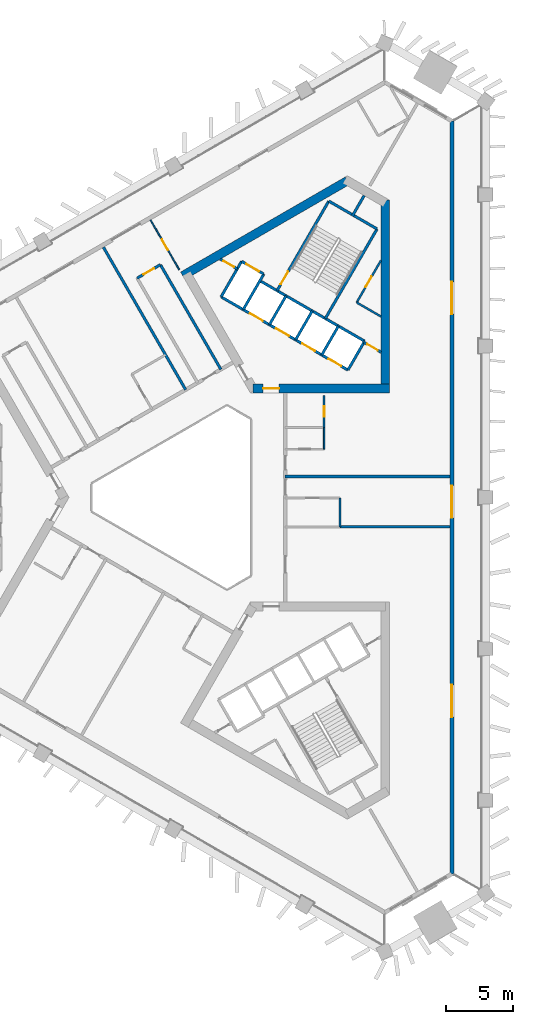
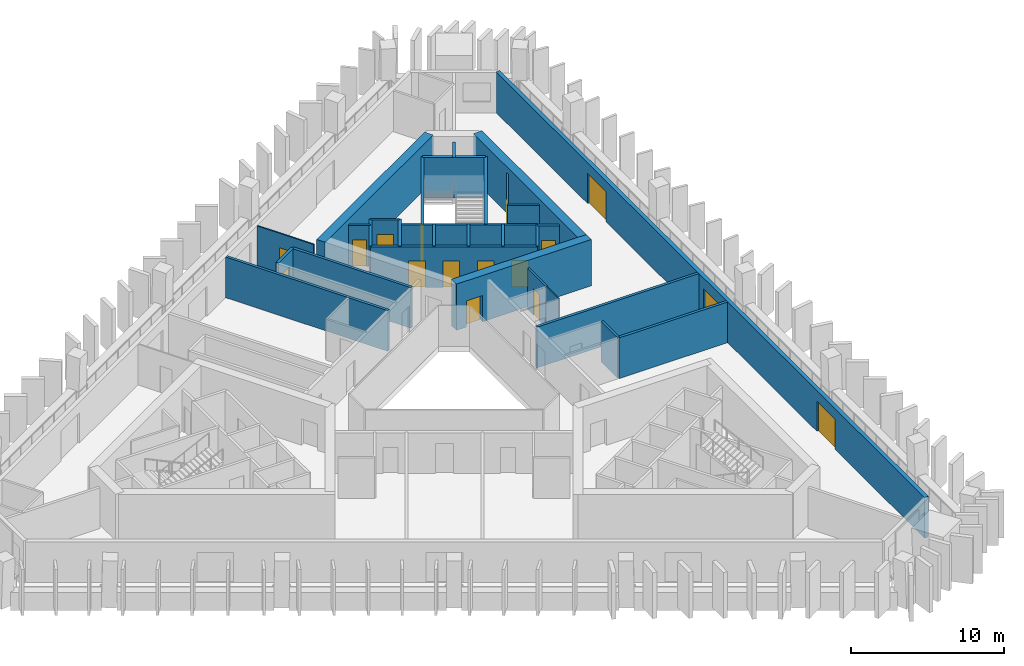
# One storey, part 5 of 9: 30 walls, 16 doors, 16 openings.
"""IFC4 building model written with IfcOpenShell, lengths in metres."""

from ifc_helpers import new_model, si_unit, direction, frame, frame_2d, origin, place, context, subcontext, project, spatial, rectangle, extrude, material, layer, layer_set, type_object, element, fill, save


model = new_model("IFC4")

# Units and contexts
model_context = context("Model", 3, precision=1e-05, world=origin(), true_north=direction((0.0, 1.0)))
body_context = subcontext(model_context, "Body", "Model", "MODEL_VIEW")
ifc_project = project(units=[si_unit("LENGTHUNIT", "METRE"), si_unit("AREAUNIT", "SQUARE_METRE"), si_unit("VOLUMEUNIT", "CUBIC_METRE"), si_unit("PLANEANGLEUNIT", "RADIAN"), si_unit("MASSUNIT", "GRAM", prefix="KILO")], contexts=[model_context])

# Site, building, storey
site_placement = place(None, origin())
site = spatial("IfcSite", under=ifc_project, at=site_placement, CompositionType="ELEMENT")
building_placement = place(site_placement, origin())
building = spatial("IfcBuilding", under=site, at=building_placement, Name="Jabali Bay Hotel Tower and Convention Centre", CompositionType="ELEMENT")
storey_placement = place(building_placement, frame((0.0, 0.0, 129.0)))
storey = spatial("IfcBuildingStorey", under=building, at=storey_placement, Name="L31", CompositionType="ELEMENT", Elevation=129.0)

# Wall
ifc_material_1 = material(Name="Concrete C40", Category="concrete")
ifc_layer_1 = layer(ifc_material_1, 0.199951171875)
ifc_layer_set_1 = layer_set([ifc_layer_1], Name="Concrete C40")
wall_type_1 = type_object("IfcWallType", Name="Core partition wall 200", PredefinedType="PARTITIONING", material=ifc_layer_set_1)
wall_1_placement = place(storey_placement, frame((87.090087890625, 100.9404296875, 0.0), z_axis=(0.0, 0.0, 1.0), x_axis=(0.499944938281, 0.866057191349, 0.0)))
element("IfcWall", 1, at=wall_1_placement, inside=storey, type_object=wall_type_1, Name="Core wall 1.5 L31", PredefinedType="PARTITIONING", context=body_context, shape_type="SweptSolid", body=[
    extrude(rectangle(XDim=1.773193359375, YDim=0.199951171875, at=frame_2d((0.88671875, 0.0))), origin(), (0.0, 0.0, 1.0), 3.25),
])

# Wall, opening, door
wall_2_placement = place(storey_placement, frame((89.22998046875, 90.813720703125, 0.0), z_axis=(0.0, 0.0, 1.0), x_axis=(-0.866022048785, 0.500005810984, 0.0)))
wall_2 = element("IfcWall", 2, at=wall_2_placement, inside=storey, type_object=wall_type_1, Name="Core wall 1.11 L31", PredefinedType="PARTITIONING", context=body_context, shape_type="SweptSolid", body=[
    extrude(rectangle(XDim=1.466796875, YDim=0.199951171875, at=frame_2d((0.7333984375, 0.0))), origin(), (0.0, 0.0, 1.0), 3.25),
])
opening_1_placement = place(wall_2_placement, frame((0.283447265625, 0.0, 0.0)))
opening_1 = element("IfcOpeningElement", 3, at=opening_1_placement, cuts=wall_2, Name="Opening D692", PredefinedType="OPENING", context=body_context, shape_type="SweptSolid", body=[
    extrude(rectangle(XDim=0.89990234375, YDim=2.10009765625, at=frame_2d((0.449951171875, 1.050048828125))), frame((0.0, 0.1103515625, 0.0), z_axis=(0.0, -1.0, 0.0), x_axis=(1.0, 0.0, 0.0)), (0.0, 0.0, 1.0), 0.220947265625),
])
ifc_material_2 = material(Name="Fire-rated steel door", Category="steel")
door_type_1 = type_object("IfcDoorType", Name="Vestibule fire door 900 x 2100", OperationType="NOTDEFINED", PredefinedType="NOTDEFINED", material=ifc_material_2)
door_1_placement = place(opening_1_placement, origin())
door_1 = element("IfcDoor", 4, at=door_1_placement, inside=storey, type_object=door_type_1, Name="Vestibule fire door D692", OperationType="SINGLE_SWING_LEFT", OverallHeight=2.10009765625, OverallWidth=0.89990234375, PredefinedType="NOTDEFINED", context=body_context, shape_type="SweptSolid", body=[
    extrude(rectangle(XDim=0.89990234375, YDim=2.10009765625, at=frame_2d((0.449951171875, 1.050048828125))), frame((0.0, 0.02490234375, 0.0), z_axis=(0.0, -1.0, 0.0), x_axis=(1.0, 0.0, 0.0)), (0.0, 0.0, 1.0), 0.050048828125),
])
fill(opening_1, door_1)

wall_3_placement = place(storey_placement, frame((78.5302734375, 97.014404296875, 0.0), z_axis=(0.0, 0.0, 1.0), x_axis=(-0.866045896294, 0.499964504253, 0.0)))
wall_3 = element("IfcWall", 5, at=wall_3_placement, inside=storey, type_object=wall_type_1, Name="Core wall 1.12 L31", PredefinedType="PARTITIONING", context=body_context, shape_type="SweptSolid", body=[
    extrude(rectangle(XDim=1.455078125, YDim=0.199951171875, at=frame_2d((0.7275390625, 0.0))), origin(), (0.0, 0.0, 1.0), 3.25),
])
opening_2_placement = place(wall_3_placement, frame((0.277587890625, 0.0, 0.0)))
opening_2 = element("IfcOpeningElement", 6, at=opening_2_placement, cuts=wall_3, Name="Opening D691", PredefinedType="OPENING", context=body_context, shape_type="SweptSolid", body=[
    extrude(rectangle(XDim=0.89990234375, YDim=2.10009765625, at=frame_2d((0.449951171875, 1.050048828125))), frame((0.0, 0.1103515625, 0.0), z_axis=(0.0, -1.0, 0.0), x_axis=(1.0, 0.0, 0.0)), (0.0, 0.0, 1.0), 0.220947265625),
])
door_2_placement = place(opening_2_placement, origin())
door_2 = element("IfcDoor", 7, at=door_2_placement, inside=storey, type_object=door_type_1, Name="Vestibule fire door D691", OperationType="SINGLE_SWING_LEFT", OverallHeight=2.10009765625, OverallWidth=0.89990234375, PredefinedType="NOTDEFINED", context=body_context, shape_type="SweptSolid", body=[
    extrude(rectangle(XDim=0.89990234375, YDim=2.10009765625, at=frame_2d((0.449951171875, 1.050048828125))), frame((0.0, 0.02490234375, 0.0), z_axis=(0.0, -1.0, 0.0), x_axis=(1.0, 0.0, 0.0)), (0.0, 0.0, 1.0), 0.050048828125),
])
fill(opening_2, door_2)

ifc_material_3 = material(Name="Fire-rated board partition")
ifc_layer_2 = layer(ifc_material_3, 0.14990234375)
ifc_layer_set_2 = layer_set([ifc_layer_2], Name="Fire-rated board partition")
wall_type_2 = type_object("IfcWallType", Name="Core room partition 150", PredefinedType="PARTITIONING", material=ifc_layer_set_2)
wall_4_placement = place(storey_placement, frame((87.421142578125, 94.513916015625, 0.0), z_axis=(0.0, 0.0, 1.0), x_axis=(0.499993116331, 0.866029378036, 0.0)))
wall_4 = element("IfcWall", 8, at=wall_4_placement, inside=storey, type_object=wall_type_2, Name="Core wall 1.1 L31", PredefinedType="PARTITIONING", context=body_context, shape_type="SweptSolid", body=[
    extrude(rectangle(XDim=3.61767578125, YDim=0.14990234375, at=frame_2d((1.808837890625, 0.0))), origin(), (0.0, 0.0, 1.0), 3.25),
])
opening_3_placement = place(wall_4_placement, frame((1.33154296875, 0.0, 0.0)))
opening_3 = element("IfcOpeningElement", 9, at=opening_3_placement, cuts=wall_4, Name="Opening D694", PredefinedType="OPENING", context=body_context, shape_type="SweptSolid", body=[
    extrude(rectangle(XDim=0.89990234375, YDim=2.10009765625, at=frame_2d((0.449951171875, 1.050048828125))), frame((0.0, 0.08544921875, 0.0), z_axis=(0.0, -1.0, 0.0), x_axis=(1.0, 0.0, 0.0)), (0.0, 0.0, 1.0), 0.1708984375),
])
door_type_2 = type_object("IfcDoorType", Name="Core room door 900 x 2100", OperationType="NOTDEFINED", PredefinedType="NOTDEFINED", material=ifc_material_2)
door_3_placement = place(opening_3_placement, origin())
door_3 = element("IfcDoor", 10, at=door_3_placement, inside=storey, type_object=door_type_2, Name="Core room door D694", OperationType="SINGLE_SWING_LEFT", OverallHeight=2.10009765625, OverallWidth=0.89990234375, PredefinedType="NOTDEFINED", context=body_context, shape_type="SweptSolid", body=[
    extrude(rectangle(XDim=0.89990234375, YDim=2.10009765625, at=frame_2d((0.449951171875, 1.050048828125))), frame((0.0, 0.02490234375, 0.0), z_axis=(0.0, -1.0, 0.0), x_axis=(1.0, 0.0, 0.0)), (0.0, 0.0, 1.0), 0.050048828125),
])
fill(opening_3, door_3)

# Walls
wall_5_placement = place(storey_placement, frame((89.22998046875, 93.469482421875, 0.0), z_axis=(0.0, 0.0, 1.0), x_axis=(-0.866004557827, 0.500036104519, 0.0)))
element("IfcWall", 11, at=wall_5_placement, inside=storey, type_object=wall_type_2, Name="Core wall 1.15 L31", PredefinedType="PARTITIONING", context=body_context, shape_type="SweptSolid", body=[
    extrude(rectangle(XDim=2.088623046875, YDim=0.14990234375, at=frame_2d((1.04443359375, 0.0))), origin(), (0.0, 0.0, 1.0), 3.25),
])
ifc_layer_3 = layer(ifc_material_1, 0.199951171875)
ifc_layer_set_3 = layer_set([ifc_layer_3], Name="Concrete C40")
wall_type_3 = type_object("IfcWallType", Name="Core stair wall 200", PredefinedType="SOLIDWALL", material=ifc_layer_set_3)
for number, where, z_axis, x_axis, name in (
    (12, (86.769775390625, 89.48583984375, 0.0), (0.0, 0.0, 1.0), (0.499961042966, 0.86604789447, 0.0), "Core wall 1.0 L31"),
    (13, (84.8212890625, 90.61083984375, 0.0), (0.0, 0.0, 1.0), (0.499961042966, 0.86604789447, 0.0), "Core wall 1.2 L31"),
):
    element("IfcWall", number, at=place(storey_placement, frame(where, z_axis=z_axis, x_axis=x_axis)), inside=storey, type_object=wall_type_3, Name=name, PredefinedType="SOLIDWALL", context=body_context, shape_type="SweptSolid", body=[
        extrude(rectangle(XDim=2.480224609375, YDim=0.199951171875, at=frame_2d((1.240234375, 0.0))), origin(), (0.0, 0.0, 1.0), 3.25),
    ])
wall_6_placement = place(storey_placement, frame((85.0869140625, 93.3212890625, 0.0), z_axis=(0.0, 0.0, 1.0), x_axis=(0.500019787375, 0.866013979237, 0.0)))
element("IfcWall", 14, at=wall_6_placement, inside=storey, type_object=wall_type_3, Name="Core wall 1.3 L31", PredefinedType="SOLIDWALL", context=body_context, shape_type="SweptSolid", body=[
    extrude(rectangle(XDim=7.699951171875, YDim=0.199951171875, at=frame_2d((3.85009765625, 0.0))), origin(), (0.0, 0.0, 1.0), 3.25),
])
for number, where, z_axis, x_axis, name in (
    (15, (82.872802734375, 91.73583984375, 0.0), (0.0, 0.0, 1.0), (0.499961042966, 0.86604789447, 0.0), "Core wall 1.4 L31"),
    (16, (80.924072265625, 92.86083984375, 0.0), (0.0, 0.0, 1.0), (0.499961042966, 0.86604789447, 0.0), "Core wall 1.6 L31"),
):
    element("IfcWall", number, at=place(storey_placement, frame(where, z_axis=z_axis, x_axis=x_axis)), inside=storey, type_object=wall_type_3, Name=name, PredefinedType="SOLIDWALL", context=body_context, shape_type="SweptSolid", body=[
        extrude(rectangle(XDim=2.480224609375, YDim=0.199951171875, at=frame_2d((1.240234375, 0.0))), origin(), (0.0, 0.0, 1.0), 3.25),
    ])

# Wall, opening, door
wall_7_placement = place(storey_placement, frame((81.492919921875, 95.396240234375, 0.0), z_axis=(0.0, 0.0, 1.0), x_axis=(0.500006057782, 0.866021906294, 0.0)))
wall_7 = element("IfcWall", 17, at=wall_7_placement, inside=storey, type_object=wall_type_3, Name="Core wall 1.7 L31", PredefinedType="SOLIDWALL", context=body_context, shape_type="SweptSolid", body=[
    extrude(rectangle(XDim=7.7001953125, YDim=0.199951171875, at=frame_2d((3.85009765625, 0.0))), origin(), (0.0, 0.0, 1.0), 3.25),
])
opening_4_placement = place(wall_7_placement, frame((0.550048828125, 0.0, 0.0)))
opening_4 = element("IfcOpeningElement", 18, at=opening_4_placement, cuts=wall_7, Name="Opening D693", PredefinedType="OPENING", context=body_context, shape_type="SweptSolid", body=[
    extrude(rectangle(XDim=1.10009765625, YDim=2.10009765625, at=frame_2d((0.550048828125, 1.050048828125))), frame((0.0, 0.1103515625, 0.0), z_axis=(0.0, -1.0, 0.0), x_axis=(1.0, 0.0, 0.0)), (0.0, 0.0, 1.0), 0.220947265625),
])
door_type_3 = type_object("IfcDoorType", Name="Stair fire door 1100 x 2100", OperationType="NOTDEFINED", PredefinedType="NOTDEFINED", material=ifc_material_2)
door_4_placement = place(opening_4_placement, origin())
door_4 = element("IfcDoor", 19, at=door_4_placement, inside=storey, type_object=door_type_3, Name="Stair fire door D693", OperationType="SINGLE_SWING_RIGHT", OverallHeight=2.10009765625, OverallWidth=1.10009765625, PredefinedType="NOTDEFINED", context=body_context, shape_type="SweptSolid", body=[
    extrude(rectangle(XDim=1.10009765625, YDim=2.10009765625, at=frame_2d((0.550048828125, 1.050048828125))), frame((0.0, 0.02490234375, 0.0), z_axis=(0.0, -1.0, 0.0), x_axis=(1.0, 0.0, 0.0)), (0.0, 0.0, 1.0), 0.050048828125),
])
fill(opening_4, door_4)

# Walls
for number, where, z_axis, x_axis, name in (
    (20, (78.9755859375, 93.98583984375, 0.0), (0.0, 0.0, 1.0), (0.499944174705, 0.866057632134, 0.0), "Core wall 1.8 L31"),
    (21, (77.330078125, 94.93603515625, 0.0), (0.0, 0.0, 1.0), (0.500038867431, 0.8660029625, 0.0), "Core wall 1.9 L31"),
):
    element("IfcWall", number, at=place(storey_placement, frame(where, z_axis=z_axis, x_axis=x_axis)), inside=storey, type_object=wall_type_3, Name=name, PredefinedType="SOLIDWALL", context=body_context, shape_type="SweptSolid", body=[
        extrude(rectangle(XDim=3.050048828125, YDim=0.199951171875, at=frame_2d((1.52490234375, 0.0))), origin(), (0.0, 0.0, 1.0), 3.25),
    ])

# Wall, openings, doors
wall_8_placement = place(storey_placement, frame((86.769775390625, 89.48583984375, 0.0), z_axis=(0.0, 0.0, 1.0), x_axis=(-0.86601811187, 0.500012629753, 0.0)))
wall_8 = element("IfcWall", 22, at=wall_8_placement, inside=storey, type_object=wall_type_3, Name="Core wall 1.10 L31", PredefinedType="SOLIDWALL", context=body_context, shape_type="SweptSolid", body=[
    extrude(rectangle(XDim=10.900146484375, YDim=0.199951171875, at=frame_2d((5.4501953125, 0.0))), origin(), (0.0, 0.0, 1.0), 3.25),
])
opening_5_placement = place(wall_8_placement, frame((0.574951171875, 0.0, 0.0)))
opening_5 = element("IfcOpeningElement", 23, at=opening_5_placement, cuts=wall_8, Name="Opening LD6-L31", PredefinedType="OPENING", context=body_context, shape_type="SweptSolid", body=[
    extrude(rectangle(XDim=1.10009765625, YDim=2.10009765625, at=frame_2d((0.550048828125, 1.050048828125))), frame((0.0, 0.1103515625, 0.0), z_axis=(0.0, -1.0, 0.0), x_axis=(1.0, 0.0, 0.0)), (0.0, 0.0, 1.0), 0.220947265625),
])
opening_6_placement = place(wall_8_placement, frame((2.824951171875, 0.0, 0.0)))
opening_6 = element("IfcOpeningElement", 24, at=opening_6_placement, cuts=wall_8, Name="Opening LD7-L31", PredefinedType="OPENING", context=body_context, shape_type="SweptSolid", body=[
    extrude(rectangle(XDim=1.10009765625, YDim=2.10009765625, at=frame_2d((0.550048828125, 1.050048828125))), frame((0.0, 0.1103515625, 0.0), z_axis=(0.0, -1.0, 0.0), x_axis=(1.0, 0.0, 0.0)), (0.0, 0.0, 1.0), 0.220947265625),
])
opening_7_placement = place(wall_8_placement, frame((5.074951171875, 0.0, 0.0)))
opening_7 = element("IfcOpeningElement", 25, at=opening_7_placement, cuts=wall_8, Name="Opening LD8-L31", PredefinedType="OPENING", context=body_context, shape_type="SweptSolid", body=[
    extrude(rectangle(XDim=1.10009765625, YDim=2.10009765625, at=frame_2d((0.550048828125, 1.050048828125))), frame((0.0, 0.1103515625, 0.0), z_axis=(0.0, -1.0, 0.0), x_axis=(1.0, 0.0, 0.0)), (0.0, 0.0, 1.0), 0.220947265625),
])
opening_8_placement = place(wall_8_placement, frame((7.324951171875, 0.0, 0.0)))
opening_8 = element("IfcOpeningElement", 26, at=opening_8_placement, cuts=wall_8, Name="Opening LD9-L31", PredefinedType="OPENING", context=body_context, shape_type="SweptSolid", body=[
    extrude(rectangle(XDim=1.10009765625, YDim=2.10009765625, at=frame_2d((0.550048828125, 1.050048828125))), frame((0.0, 0.1103515625, 0.0), z_axis=(0.0, -1.0, 0.0), x_axis=(1.0, 0.0, 0.0)), (0.0, 0.0, 1.0), 0.220947265625),
])
ifc_material_4 = material(Name="Stainless steel landing door", Category="steel")
door_type_4 = type_object("IfcDoorType", Name="Landing door 1100 x 2100", OperationType="NOTDEFINED", PredefinedType="NOTDEFINED", material=ifc_material_4)
door_5_placement = place(opening_5_placement, origin())
door_5 = element("IfcDoor", 27, at=door_5_placement, inside=storey, type_object=door_type_4, Name="Landing doors LD6-L31", OperationType="SLIDING_TO_RIGHT", OverallHeight=2.10009765625, OverallWidth=1.10009765625, PredefinedType="NOTDEFINED", context=body_context, shape_type="SweptSolid", body=[
    extrude(rectangle(XDim=1.10009765625, YDim=2.10009765625, at=frame_2d((0.550048828125, 1.050048828125))), frame((0.0, 0.02490234375, 0.0), z_axis=(0.0, -1.0, 0.0), x_axis=(1.0, 0.0, 0.0)), (0.0, 0.0, 1.0), 0.050048828125),
])
fill(opening_5, door_5)
door_6_placement = place(opening_6_placement, origin())
door_6 = element("IfcDoor", 28, at=door_6_placement, inside=storey, type_object=door_type_4, Name="Landing doors LD7-L31", OperationType="SLIDING_TO_LEFT", OverallHeight=2.10009765625, OverallWidth=1.10009765625, PredefinedType="NOTDEFINED", context=body_context, shape_type="SweptSolid", body=[
    extrude(rectangle(XDim=1.10009765625, YDim=2.10009765625, at=frame_2d((0.550048828125, 1.050048828125))), frame((0.0, 0.02490234375, 0.0), z_axis=(0.0, -1.0, 0.0), x_axis=(1.0, 0.0, 0.0)), (0.0, 0.0, 1.0), 0.050048828125),
])
fill(opening_6, door_6)
door_7_placement = place(opening_7_placement, origin())
door_7 = element("IfcDoor", 29, at=door_7_placement, inside=storey, type_object=door_type_4, Name="Landing doors LD8-L31", OperationType="SLIDING_TO_RIGHT", OverallHeight=2.10009765625, OverallWidth=1.10009765625, PredefinedType="NOTDEFINED", context=body_context, shape_type="SweptSolid", body=[
    extrude(rectangle(XDim=1.10009765625, YDim=2.10009765625, at=frame_2d((0.550048828125, 1.050048828125))), frame((0.0, 0.02490234375, 0.0), z_axis=(0.0, -1.0, 0.0), x_axis=(1.0, 0.0, 0.0)), (0.0, 0.0, 1.0), 0.050048828125),
])
fill(opening_7, door_7)
door_8_placement = place(opening_8_placement, origin())
door_8 = element("IfcDoor", 30, at=door_8_placement, inside=storey, type_object=door_type_4, Name="Landing doors LD9-L31", OperationType="SLIDING_TO_LEFT", OverallHeight=2.10009765625, OverallWidth=1.10009765625, PredefinedType="NOTDEFINED", context=body_context, shape_type="SweptSolid", body=[
    extrude(rectangle(XDim=1.10009765625, YDim=2.10009765625, at=frame_2d((0.550048828125, 1.050048828125))), frame((0.0, 0.02490234375, 0.0), z_axis=(0.0, -1.0, 0.0), x_axis=(1.0, 0.0, 0.0)), (0.0, 0.0, 1.0), 0.050048828125),
])
fill(opening_8, door_8)

# Wall
wall_9_placement = place(storey_placement, frame((88.009765625, 91.6337890625, 0.0), z_axis=(0.0, 0.0, 1.0), x_axis=(-0.866024315419, 0.5000018851, 0.0)))
element("IfcWall", 31, at=wall_9_placement, inside=storey, type_object=wall_type_3, Name="Core wall 1.13 L31", PredefinedType="SOLIDWALL", context=body_context, shape_type="SweptSolid", body=[
    extrude(rectangle(XDim=9.0, YDim=0.199951171875, at=frame_2d((4.5, 0.0))), origin(), (0.0, 0.0, 1.0), 3.25),
])

# Wall, opening, door
wall_10_placement = place(storey_placement, frame((80.50048828125, 96.62744140625, 0.0), z_axis=(0.0, 0.0, 1.0), x_axis=(-0.86601224135, 0.500022797313, 0.0)))
wall_10 = element("IfcWall", 32, at=wall_10_placement, inside=storey, type_object=wall_type_3, Name="Core wall 1.14 L31", PredefinedType="SOLIDWALL", context=body_context, shape_type="SweptSolid", body=[
    extrude(rectangle(XDim=1.89990234375, YDim=0.199951171875, at=frame_2d((0.949951171875, 0.0))), origin(), (0.0, 0.0, 1.0), 3.25),
])
opening_9_placement = place(wall_10_placement, frame((0.39990234375, 0.0, 0.0)))
opening_9 = element("IfcOpeningElement", 33, at=opening_9_placement, cuts=wall_10, Name="Opening LD10-L31", PredefinedType="OPENING", context=body_context, shape_type="SweptSolid", body=[
    extrude(rectangle(XDim=1.10009765625, YDim=2.10009765625, at=frame_2d((0.550048828125, 1.050048828125))), frame((0.0, 0.1103515625, 0.0), z_axis=(0.0, -1.0, 0.0), x_axis=(1.0, 0.0, 0.0)), (0.0, 0.0, 1.0), 0.220947265625),
])
door_9_placement = place(opening_9_placement, origin())
door_9 = element("IfcDoor", 34, at=door_9_placement, inside=storey, type_object=door_type_4, Name="Landing doors LD10-L31", OperationType="SLIDING_TO_RIGHT", OverallHeight=2.10009765625, OverallWidth=1.10009765625, PredefinedType="NOTDEFINED", context=body_context, shape_type="SweptSolid", body=[
    extrude(rectangle(XDim=1.10009765625, YDim=2.10009765625, at=frame_2d((0.550048828125, 1.050048828125))), frame((0.0, 0.02490234375, 0.0), z_axis=(0.0, -1.0, 0.0), x_axis=(1.0, 0.0, 0.0)), (0.0, 0.0, 1.0), 0.050048828125),
])
fill(opening_9, door_9)

# Wall
wall_11_placement = place(storey_placement, frame((88.93701171875, 99.989501953125, 0.0), z_axis=(0.0, 0.0, 1.0), x_axis=(-0.866004344652, 0.500036473714, 0.0)))
element("IfcWall", 35, at=wall_11_placement, inside=storey, type_object=wall_type_3, Name="Core wall 1.16 L31", PredefinedType="SOLIDWALL", context=body_context, shape_type="SweptSolid", body=[
    extrude(rectangle(XDim=4.150146484375, YDim=0.199951171875, at=frame_2d((2.0751953125, 0.0))), origin(), (0.0, 0.0, 1.0), 3.25),
])

# Wall, opening, door
ifc_material_5 = material(Name="Concrete C60", Category="concrete")
ifc_layer_4 = layer(ifc_material_5, 0.64990234375)
ifc_layer_set_4 = layer_set([ifc_layer_4], Name="Concrete C60")
wall_type_4 = type_object("IfcWallType", Name="Core wall 650", PredefinedType="SHEAR", material=ifc_layer_set_4)
wall_12_placement = place(storey_placement, frame((79.687744140625, 88.119140625, 0.0), z_axis=(0.0, 0.0, 1.0), x_axis=(1.0, 0.0, 0.0)))
wall_12 = element("IfcWall", 36, at=wall_12_placement, inside=storey, type_object=wall_type_4, Name="Core wall 2.1 L31", PredefinedType="SHEAR", context=body_context, shape_type="SweptSolid", body=[
    extrude(rectangle(XDim=10.192138671875, YDim=0.64990234375, at=frame_2d((5.09619140625, 0.0))), origin(), (0.0, 0.0, 1.0), 3.699951171875),
])
opening_10_placement = place(wall_12_placement, frame((0.762451171875, 0.0, 0.0)))
opening_10 = element("IfcOpeningElement", 37, at=opening_10_placement, cuts=wall_12, Name="Opening D689", PredefinedType="OPENING", context=body_context, shape_type="SweptSolid", body=[
    extrude(rectangle(XDim=1.199951171875, YDim=2.10009765625, at=frame_2d((0.60009765625, 1.050048828125))), frame((0.0, 0.33544921875, 0.0), z_axis=(0.0, -1.0, 0.0), x_axis=(1.0, 0.0, 0.0)), (0.0, 0.0, 1.0), 0.6708984375),
])
door_type_5 = type_object("IfcDoorType", Name="Corridor end fire door 1200 x 2100", OperationType="NOTDEFINED", PredefinedType="NOTDEFINED", material=ifc_material_2)
door_10_placement = place(opening_10_placement, origin())
door_10 = element("IfcDoor", 38, at=door_10_placement, inside=storey, type_object=door_type_5, Name="Corridor end fire door D689", OperationType="SINGLE_SWING_RIGHT", OverallHeight=2.10009765625, OverallWidth=1.199951171875, PredefinedType="NOTDEFINED", context=body_context, shape_type="SweptSolid", body=[
    extrude(rectangle(XDim=1.199951171875, YDim=2.10009765625, at=frame_2d((0.60009765625, 1.050048828125))), frame((0.0, 0.02490234375, 0.0), z_axis=(0.0, -1.0, 0.0), x_axis=(1.0, 0.0, 0.0)), (0.0, 0.0, 1.0), 0.050048828125),
])
fill(opening_10, door_10)

# Walls
wall_13_placement = place(storey_placement, frame((89.554931640625, 88.119140625, 0.0), z_axis=(0.0, 0.0, 1.0), x_axis=(0.0, 1.0, 0.0)))
element("IfcWall", 39, at=wall_13_placement, inside=storey, type_object=wall_type_4, Name="Core wall 2.2 L31", PredefinedType="SHEAR", context=body_context, shape_type="SweptSolid", body=[
    extrude(rectangle(XDim=14.008544921875, YDim=0.64990234375, at=frame_2d((7.00439453125, 0.0))), origin(), (0.0, 0.0, 1.0), 3.699951171875),
])
wall_14_placement = place(storey_placement, frame((86.72314453125, 103.574951171875, 0.0), z_axis=(0.0, 0.0, 1.0), x_axis=(-0.866031824457, -0.499988878904, 0.0)))
element("IfcWall", 40, at=wall_14_placement, inside=storey, type_object=wall_type_4, Name="Core wall 2.4 L31", PredefinedType="SHEAR", context=body_context, shape_type="SweptSolid", body=[
    extrude(rectangle(XDim=14.145751953125, YDim=0.64990234375, at=frame_2d((7.07275390625, 0.0))), origin(), (0.0, 0.0, 1.0), 3.699951171875),
])

# Wall, openings, doors
ifc_layer_5 = layer(ifc_material_1, 0.300048828125)
ifc_layer_set_5 = layer_set([ifc_layer_5], Name="Concrete C40")
wall_type_5 = type_object("IfcWallType", Name="External wall 300", PredefinedType="SOLIDWALL", material=ifc_layer_set_5)
wall_15_placement = place(storey_placement, frame((94.501220703125, 108.039306640625, 0.0), z_axis=(0.0, 0.0, 1.0), x_axis=(0.0, -1.0, 0.0)))
wall_15 = element("IfcWall", 41, at=wall_15_placement, inside=storey, type_object=wall_type_5, Name="External wall east face L31", PredefinedType="SOLIDWALL", context=body_context, shape_type="SweptSolid", body=[
    extrude(rectangle(XDim=56.07861328125, YDim=0.300048828125, at=frame_2d((28.039306640625, 0.0))), origin(), (0.0, 0.0, 1.0), 3.25),
])
opening_11_placement = place(wall_15_placement, frame((27.151123046875, 0.0, 0.0)))
opening_11 = element("IfcOpeningElement", 42, at=opening_11_placement, cuts=wall_15, Name="Opening SD1", PredefinedType="OPENING", context=body_context, shape_type="SweptSolid", body=[
    extrude(rectangle(XDim=2.39990234375, YDim=2.39990234375, at=frame_2d((1.199951171875, 1.199951171875))), frame((0.0, 0.16064453125, 0.0), z_axis=(0.0, -1.0, 0.0), x_axis=(1.0, 0.0, 0.0)), (0.0, 0.0, 1.0), 0.321044921875),
])
opening_12_placement = place(wall_15_placement, frame((41.993408203125, 0.0, 0.0)))
opening_12 = element("IfcOpeningElement", 43, at=opening_12_placement, cuts=wall_15, Name="Opening SD1", PredefinedType="OPENING", context=body_context, shape_type="SweptSolid", body=[
    extrude(rectangle(XDim=2.39990234375, YDim=2.39990234375, at=frame_2d((1.199951171875, 1.199951171875))), frame((0.0, 0.16064453125, 0.0), z_axis=(0.0, -1.0, 0.0), x_axis=(1.0, 0.0, 0.0)), (0.0, 0.0, 1.0), 0.321044921875),
])
opening_13_placement = place(wall_15_placement, frame((11.9970703125, 0.0, 0.0)))
opening_13 = element("IfcOpeningElement", 44, at=opening_13_placement, cuts=wall_15, Name="Opening SD1", PredefinedType="OPENING", context=body_context, shape_type="SweptSolid", body=[
    extrude(rectangle(XDim=2.39990234375, YDim=2.39990234375, at=frame_2d((1.199951171875, 1.199951171875))), frame((0.0, 0.16064453125, 0.0), z_axis=(0.0, -1.0, 0.0), x_axis=(1.0, 0.0, 0.0)), (0.0, 0.0, 1.0), 0.321044921875),
])
ifc_material_6 = material(Name="Glass", Category="glass")
door_type_6 = type_object("IfcDoorType", Name="Loggia sliding door 2400 x 2400", OperationType="NOTDEFINED", PredefinedType="NOTDEFINED", material=ifc_material_6)
door_11_placement = place(opening_11_placement, origin())
door_11 = element("IfcDoor", 45, at=door_11_placement, inside=storey, type_object=door_type_6, Name="Loggia sliding door 3102", OperationType="SLIDING_TO_LEFT", OverallHeight=2.39990234375, OverallWidth=2.39990234375, PredefinedType="NOTDEFINED", context=body_context, shape_type="SweptSolid", body=[
    extrude(rectangle(XDim=2.39990234375, YDim=2.39990234375, at=frame_2d((1.199951171875, 1.199951171875))), frame((0.0, 0.02490234375, 0.0), z_axis=(0.0, -1.0, 0.0), x_axis=(1.0, 0.0, 0.0)), (0.0, 0.0, 1.0), 0.050048828125),
])
fill(opening_11, door_11)
door_12_placement = place(opening_12_placement, origin())
door_12 = element("IfcDoor", 46, at=door_12_placement, inside=storey, type_object=door_type_6, Name="Loggia sliding door 3101", OperationType="SLIDING_TO_RIGHT", OverallHeight=2.39990234375, OverallWidth=2.39990234375, PredefinedType="NOTDEFINED", context=body_context, shape_type="SweptSolid", body=[
    extrude(rectangle(XDim=2.39990234375, YDim=2.39990234375, at=frame_2d((1.199951171875, 1.199951171875))), frame((0.0, 0.02490234375, 0.0), z_axis=(0.0, -1.0, 0.0), x_axis=(1.0, 0.0, 0.0)), (0.0, 0.0, 1.0), 0.050048828125),
])
fill(opening_12, door_12)
door_13_placement = place(opening_13_placement, origin())
door_13 = element("IfcDoor", 47, at=door_13_placement, inside=storey, type_object=door_type_6, Name="Loggia sliding door 3103", OperationType="SLIDING_TO_LEFT", OverallHeight=2.39990234375, OverallWidth=2.39990234375, PredefinedType="NOTDEFINED", context=body_context, shape_type="SweptSolid", body=[
    extrude(rectangle(XDim=2.39990234375, YDim=2.39990234375, at=frame_2d((1.199951171875, 1.199951171875))), frame((0.0, 0.02490234375, 0.0), z_axis=(0.0, -1.0, 0.0), x_axis=(1.0, 0.0, 0.0)), (0.0, 0.0, 1.0), 0.050048828125),
])
fill(opening_13, door_13)

# Wall
ifc_material_7 = material(Name="Plasterboard on steel stud", Category="steel")
ifc_layer_6 = layer(ifc_material_7, 0.10009765625)
ifc_layer_set_6 = layer_set([ifc_layer_6], Name="Plasterboard on steel stud")
wall_type_6 = type_object("IfcWallType", Name="Partition 100 unit", PredefinedType="PARTITIONING", material=ifc_layer_set_6)
wall_16_placement = place(storey_placement, frame((85.0, 85.1943359375, 0.0), z_axis=(0.0, 0.0, 1.0), x_axis=(0.0, -1.0, 0.0)))
element("IfcWall", 48, at=wall_16_placement, inside=storey, type_object=wall_type_6, Name="Partition P02 L31 008", PredefinedType="PARTITIONING", context=body_context, shape_type="SweptSolid", body=[
    extrude(rectangle(XDim=1.60009765625, YDim=0.10009765625, at=frame_2d((0.800048828125, 0.0))), origin(), (0.0, 0.0, 1.0), 3.25),
])

# Wall, opening, door
wall_17_placement = place(storey_placement, frame((74.21044921875, 96.955810546875, 0.0), z_axis=(0.0, 0.0, 1.0), x_axis=(-0.49995489152, 0.866051445611, 0.0)))
wall_17 = element("IfcWall", 49, at=wall_17_placement, inside=storey, type_object=wall_type_6, Name="Partition P02 L31 012", PredefinedType="PARTITIONING", context=body_context, shape_type="SweptSolid", body=[
    extrude(rectangle(XDim=4.2734375, YDim=0.10009765625, at=frame_2d((2.13671875, 0.0))), origin(), (0.0, 0.0, 1.0), 3.25),
])
opening_14_placement = place(wall_17_placement, frame((1.68701171875, 0.0, 0.0)))
opening_14 = element("IfcOpeningElement", 50, at=opening_14_placement, cuts=wall_17, Name="Opening 3108", PredefinedType="OPENING", context=body_context, shape_type="SweptSolid", body=[
    extrude(rectangle(XDim=0.89990234375, YDim=2.10009765625, at=frame_2d((0.449951171875, 1.050048828125))), frame((0.0, 0.060546875, 0.0), z_axis=(0.0, -1.0, 0.0), x_axis=(1.0, 0.0, 0.0)), (0.0, 0.0, 1.0), 0.12109375),
])
ifc_material_8 = material(Name="Timber", Category="wood")
door_type_7 = type_object("IfcDoorType", Name="Internal door 900 x 2100", OperationType="NOTDEFINED", PredefinedType="NOTDEFINED", material=ifc_material_8)
door_14_placement = place(opening_14_placement, origin())
door_14 = element("IfcDoor", 51, at=door_14_placement, inside=storey, type_object=door_type_7, Name="Door 3108", OperationType="SINGLE_SWING_RIGHT", OverallHeight=2.10009765625, OverallWidth=0.89990234375, PredefinedType="NOTDEFINED", context=body_context, shape_type="SweptSolid", body=[
    extrude(rectangle(XDim=0.89990234375, YDim=2.10009765625, at=frame_2d((0.449951171875, 1.050048828125))), frame((0.0, 0.02490234375, 0.0), z_axis=(0.0, -1.0, 0.0), x_axis=(1.0, 0.0, 0.0)), (0.0, 0.0, 1.0), 0.050048828125),
])
fill(opening_14, door_14)

# Wall
ifc_layer_7 = layer(ifc_material_7, 0.14990234375)
ifc_layer_set_7 = layer_set([ifc_layer_7], Name="Plasterboard on steel stud")
wall_type_7 = type_object("IfcWallType", Name="Partition 150 wet", PredefinedType="PARTITIONING", material=ifc_layer_set_7)
wall_18_placement = place(storey_placement, frame((86.1630859375, 79.958740234375, 0.0), z_axis=(0.0, 0.0, 1.0), x_axis=(0.0, -1.0, 0.0)))
element("IfcWall", 52, at=wall_18_placement, inside=storey, type_object=wall_type_7, Name="Partition P03 L31 005", PredefinedType="PARTITIONING", context=body_context, shape_type="SweptSolid", body=[
    extrude(rectangle(XDim=2.14111328125, YDim=0.14990234375, at=frame_2d((1.070556640625, 0.0))), origin(), (0.0, 0.0, 1.0), 3.25),
])

# Wall, opening, door
wall_19_placement = place(storey_placement, frame((85.0, 87.59521484375, 0.0), z_axis=(0.0, 0.0, 1.0), x_axis=(0.0, -1.0, 0.0)))
wall_19 = element("IfcWall", 53, at=wall_19_placement, inside=storey, type_object=wall_type_7, Name="Partition P03 L31 007", PredefinedType="PARTITIONING", context=body_context, shape_type="SweptSolid", body=[
    extrude(rectangle(XDim=2.40087890625, YDim=0.14990234375, at=frame_2d((1.200439453125, 0.0))), origin(), (0.0, 0.0, 1.0), 3.25),
])
opening_15_placement = place(wall_19_placement, frame((0.801025390625, 0.0, 0.0)))
opening_15 = element("IfcOpeningElement", 54, at=opening_15_placement, cuts=wall_19, Name="Opening 3104", PredefinedType="OPENING", context=body_context, shape_type="SweptSolid", body=[
    extrude(rectangle(XDim=0.800048828125, YDim=2.10009765625, at=frame_2d((0.39990234375, 1.050048828125))), frame((0.0, 0.08544921875, 0.0), z_axis=(0.0, -1.0, 0.0), x_axis=(1.0, 0.0, 0.0)), (0.0, 0.0, 1.0), 0.1708984375),
])
door_type_8 = type_object("IfcDoorType", Name="En-suite door 800 x 2100", OperationType="NOTDEFINED", PredefinedType="NOTDEFINED", material=ifc_material_8)
door_15_placement = place(opening_15_placement, origin())
door_15 = element("IfcDoor", 55, at=door_15_placement, inside=storey, type_object=door_type_8, Name="Door 3104", OperationType="SINGLE_SWING_LEFT", OverallHeight=2.10009765625, OverallWidth=0.800048828125, PredefinedType="NOTDEFINED", context=body_context, shape_type="SweptSolid", body=[
    extrude(rectangle(XDim=0.800048828125, YDim=2.10009765625, at=frame_2d((0.39990234375, 1.050048828125))), frame((0.0, 0.02490234375, 0.0), z_axis=(0.0, -1.0, 0.0), x_axis=(1.0, 0.0, 0.0)), (0.0, 0.0, 1.0), 0.050048828125),
])
fill(opening_15, door_15)

# Walls
ifc_layer_8 = layer(ifc_material_7, 0.199951171875)
ifc_layer_set_8 = layer_set([ifc_layer_8], Name="Plasterboard on steel stud")
wall_type_8 = type_object("IfcWallType", Name="Partition 200 party", PredefinedType="PARTITIONING", material=ifc_layer_set_8)
wall_20_placement = place(storey_placement, frame((94.352294921875, 77.817626953125, 0.0), z_axis=(0.0, 0.0, 1.0), x_axis=(-1.0, 0.0, 0.0)))
element("IfcWall", 56, at=wall_20_placement, inside=storey, type_object=wall_type_8, Name="Partition P01 L31 001", PredefinedType="PARTITIONING", context=body_context, shape_type="SweptSolid", body=[
    extrude(rectangle(XDim=8.189208984375, YDim=0.199951171875, at=frame_2d((4.0947265625, 0.0))), origin(), (0.0, 0.0, 1.0), 3.25),
])
wall_21_placement = place(storey_placement, frame((94.352294921875, 81.558837890625, 0.0), z_axis=(0.0, 0.0, 1.0), x_axis=(-1.0, 0.0, 0.0)))
element("IfcWall", 57, at=wall_21_placement, inside=storey, type_object=wall_type_8, Name="Partition P01 L31 006", PredefinedType="PARTITIONING", context=body_context, shape_type="SweptSolid", body=[
    extrude(rectangle(XDim=12.252197265625, YDim=0.199951171875, at=frame_2d((6.1259765625, 0.0))), origin(), (0.0, 0.0, 1.0), 3.25),
])

# Wall, opening, door
wall_22_placement = place(storey_placement, frame((71.078857421875, 96.326904296875, 0.0), z_axis=(0.0, 0.0, 1.0), x_axis=(0.866041268327, 0.499972520799, 0.0)))
wall_22 = element("IfcWall", 58, at=wall_22_placement, inside=storey, type_object=wall_type_8, Name="Partition P01 L31 014", PredefinedType="PARTITIONING", context=body_context, shape_type="SweptSolid", body=[
    extrude(rectangle(XDim=2.0, YDim=0.199951171875, at=frame_2d((1.0, 0.0))), origin(), (0.0, 0.0, 1.0), 3.25),
])
opening_16_placement = place(wall_22_placement, frame((0.550048828125, 0.0, 0.0)))
opening_16 = element("IfcOpeningElement", 59, at=opening_16_placement, cuts=wall_22, Name="Opening 3110", PredefinedType="OPENING", context=body_context, shape_type="SweptSolid", body=[
    extrude(rectangle(XDim=0.89990234375, YDim=2.10009765625, at=frame_2d((0.449951171875, 1.050048828125))), frame((0.0, 0.1103515625, 0.0), z_axis=(0.0, -1.0, 0.0), x_axis=(1.0, 0.0, 0.0)), (0.0, 0.0, 1.0), 0.220947265625),
])
door_16_placement = place(opening_16_placement, origin())
door_16 = element("IfcDoor", 60, at=door_16_placement, inside=storey, type_object=door_type_7, Name="Door 3110", OperationType="SINGLE_SWING_LEFT", OverallHeight=2.10009765625, OverallWidth=0.89990234375, PredefinedType="NOTDEFINED", context=body_context, shape_type="SweptSolid", body=[
    extrude(rectangle(XDim=0.89990234375, YDim=2.10009765625, at=frame_2d((0.449951171875, 1.050048828125))), frame((0.0, 0.02490234375, 0.0), z_axis=(0.0, -1.0, 0.0), x_axis=(1.0, 0.0, 0.0)), (0.0, 0.0, 1.0), 0.050048828125),
])
fill(opening_16, door_16)

# Walls
wall_23_placement = place(storey_placement, frame((72.81103515625, 97.326904296875, 0.0), z_axis=(0.0, 0.0, 1.0), x_axis=(0.5000018851, -0.866024315419, 0.0)))
element("IfcWall", 61, at=wall_23_placement, inside=storey, type_object=wall_type_8, Name="Partition P01 L31 015", PredefinedType="PARTITIONING", context=body_context, shape_type="SweptSolid", body=[
    extrude(rectangle(XDim=9.0, YDim=0.199951171875, at=frame_2d((4.5, 0.0))), origin(), (0.0, 0.0, 1.0), 3.25),
])
wall_24_placement = place(storey_placement, frame((68.56396484375, 98.630126953125, 0.0), z_axis=(0.0, 0.0, 1.0), x_axis=(0.499988083099, -0.866032283901, 0.0)))
element("IfcWall", 62, at=wall_24_placement, inside=storey, type_object=wall_type_8, Name="Partition P01 L31 016", PredefinedType="PARTITIONING", context=body_context, shape_type="SweptSolid", body=[
    extrude(rectangle(XDim=12.252197265625, YDim=0.199951171875, at=frame_2d((6.1259765625, 0.0))), origin(), (0.0, 0.0, 1.0), 3.25),
])

save(model, "model.ifc")
